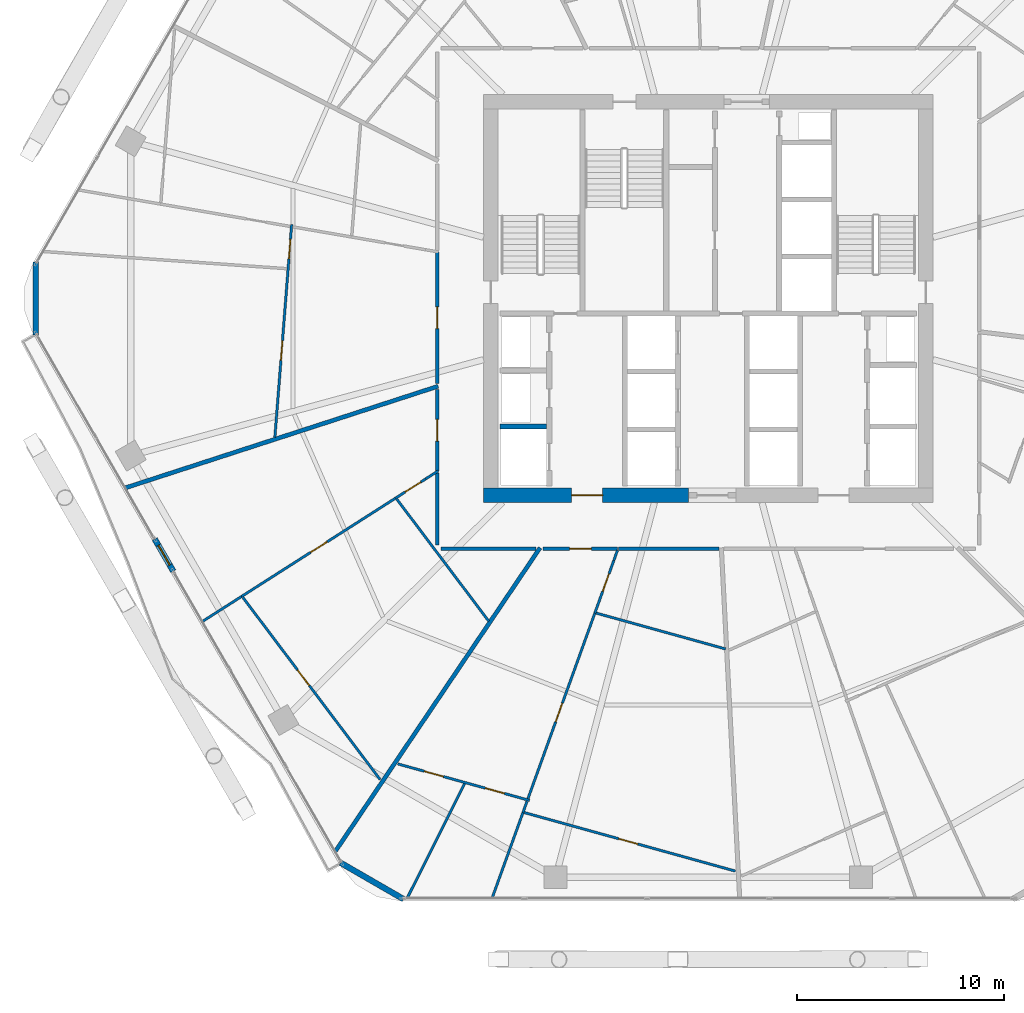
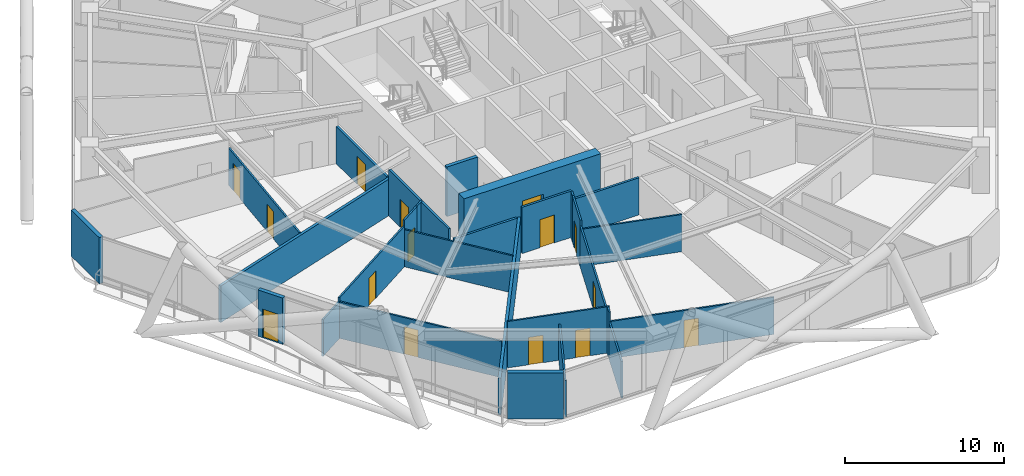
# One storey, part 27 of 35: 29 walls, 15 doors, 15 openings.
"""IFC4 building model written with IfcOpenShell, lengths in metres."""

from ifc_helpers import new_model, si_unit, direction, frame, frame_2d, origin, place, context, subcontext, project, spatial, rectangle, extrude, material, layer, layer_set, type_object, element, fill, save


model = new_model("IFC4")

# Units and contexts
model_context = context("Model", 3, precision=1e-05, world=origin(), true_north=direction((0.0, 1.0)))
body_context = subcontext(model_context, "Body", "Model", "MODEL_VIEW")
ifc_project = project(units=[si_unit("LENGTHUNIT", "METRE"), si_unit("AREAUNIT", "SQUARE_METRE"), si_unit("VOLUMEUNIT", "CUBIC_METRE"), si_unit("PLANEANGLEUNIT", "RADIAN"), si_unit("MASSUNIT", "GRAM", prefix="KILO")], contexts=[model_context])

# Site, building, storey
site_placement = place(None, origin())
site = spatial("IfcSite", under=ifc_project, at=site_placement, CompositionType="ELEMENT")
building_placement = place(site_placement, origin())
building = spatial("IfcBuilding", under=site, at=building_placement, Name="Zuhravey Tower", CompositionType="ELEMENT")
storey_placement = place(building_placement, frame((0.0, 0.0, 122.800048828125)))
storey = spatial("IfcBuildingStorey", under=building, at=storey_placement, Name="L30", CompositionType="ELEMENT", Elevation=122.800048828125)

# Wall, opening, door
ifc_material_1 = material(Name="Concrete C60/75", Category="concrete")
ifc_layer_1 = layer(ifc_material_1, 0.699951171875)
ifc_layer_set_1 = layer_set([ifc_layer_1], Name="Concrete C60/75")
wall_type_1 = type_object("IfcWallType", Name="Core Shear Wall 700", PredefinedType="SHEAR", material=ifc_layer_set_1)
wall_1_placement = place(storey_placement, frame((25.14990234375, 22.5, 0.0), z_axis=(0.0, 0.0, 1.0), x_axis=(1.0, 0.0, 0.0)))
wall_1 = element("IfcWall", 1, at=wall_1_placement, inside=storey, type_object=wall_type_1, Name="L30 South-West Core Shear Wall CW70", PredefinedType="SHEAR", context=body_context, shape_type="SweptSolid", body=[
    extrude(rectangle(XDim=9.900146484375, YDim=0.699951171875, at=frame_2d((4.9501953125, 0.0))), origin(), (0.0, 0.0, 1.0), 3.800048828125),
])
opening_1_placement = place(wall_1_placement, frame((4.25, 0.0, 0.0)))
opening_1 = element("IfcOpeningElement", 2, at=opening_1_placement, cuts=wall_1, Name="Opening FFD1", PredefinedType="OPENING", context=body_context, shape_type="SweptSolid", body=[
    extrude(rectangle(XDim=1.5, YDim=2.14990234375, at=frame_2d((0.75, 1.074951171875))), frame((0.0, 0.362060546875, 0.0), z_axis=(0.0, -1.0, 0.0), x_axis=(1.0, 0.0, 0.0)), (0.0, 0.0, 1.0), 0.723876953125),
])
ifc_material_2 = material(Name="Galvanised fire-rated steel leaf", Category="steel")
door_type_1 = type_object("IfcDoorType", Name="Firefighting Lobby Double Door 1500x2150", OperationType="DOUBLE_DOOR_SINGLE_SWING", PredefinedType="DOOR", material=ifc_material_2)
door_1_placement = place(opening_1_placement, origin())
door_1 = element("IfcDoor", 3, at=door_1_placement, inside=storey, type_object=door_type_1, Name="L30 Firefighting Lobby West Door", OperationType="DOUBLE_DOOR_SINGLE_SWING", OverallHeight=2.14990234375, OverallWidth=1.5, PredefinedType="DOOR", context=body_context, shape_type="SweptSolid", body=[
    extrude(rectangle(XDim=1.5, YDim=2.14990234375, at=frame_2d((0.75, 1.074951171875))), frame((0.0, 0.02490234375, 0.0), z_axis=(0.0, -1.0, 0.0), x_axis=(1.0, 0.0, 0.0)), (0.0, 0.0, 1.0), 0.050048828125),
])
fill(opening_1, door_1)

ifc_material_3 = material(Name="Gypsum fire-rated stud partition")
ifc_layer_2 = layer(ifc_material_3, 0.159912109375)
ifc_layer_set_2 = layer_set([ifc_layer_2], Name="Gypsum fire-rated stud partition")
wall_type_2 = type_object("IfcWallType", Name="Corridor Fire Partition 160", PredefinedType="PARTITIONING", material=ifc_layer_set_2)
wall_2_placement = place(storey_placement, frame((22.919921875, 34.234375, 0.0), z_axis=(0.0, 0.0, 1.0), x_axis=(0.0, -1.0, 0.0)))
wall_2 = element("IfcWall", 4, at=wall_2_placement, inside=storey, type_object=wall_type_2, Name="L30 IW16 Partition 038", PredefinedType="PARTITIONING", context=body_context, shape_type="SweptSolid", body=[
    extrude(rectangle(XDim=6.33740234375, YDim=0.159912109375, at=frame_2d((3.168701171875, 0.0))), origin(), (0.0, 0.0, 1.0), 2.849853515625),
])
opening_2_placement = place(wall_2_placement, frame((2.643798828125, 0.0, 0.0)))
opening_2 = element("IfcOpeningElement", 5, at=opening_2_placement, cuts=wall_2, Name="Opening APD1", PredefinedType="OPENING", context=body_context, shape_type="SweptSolid", body=[
    extrude(rectangle(XDim=1.050048828125, YDim=2.14990234375, at=frame_2d((0.52490234375, 1.074951171875))), frame((0.0, 0.092041015625, 0.0), z_axis=(0.0, -1.0, 0.0), x_axis=(1.0, 0.0, 0.0)), (0.0, 0.0, 1.0), 0.183837890625),
])
ifc_material_4 = material(Name="Solid-core oak fire-rated leaf")
door_type_2 = type_object("IfcDoorType", Name="Apartment Entrance Fire Door 1050x2150", OperationType="NOTDEFINED", PredefinedType="DOOR", material=ifc_material_4)
door_2_placement = place(opening_2_placement, frame((1.050048828125, 0.0, 0.0), z_axis=(0.0, 0.0, 1.0), x_axis=(-1.0, 0.0, 0.0)))
door_2 = element("IfcDoor", 6, at=door_2_placement, inside=storey, type_object=door_type_2, Name="L30 Door 038.1", OperationType="SINGLE_SWING_RIGHT", OverallHeight=2.14990234375, OverallWidth=1.050048828125, PredefinedType="DOOR", context=body_context, shape_type="SweptSolid", body=[
    extrude(rectangle(XDim=1.050048828125, YDim=2.14990234375, at=frame_2d((0.52490234375, 1.074951171875))), frame((0.0, 0.02490234375, 0.0), z_axis=(0.0, -1.0, 0.0), x_axis=(1.0, 0.0, 0.0)), (0.0, 0.0, 1.0), 0.050048828125),
])
fill(opening_2, door_2)

wall_3_placement = place(storey_placement, frame((22.919921875, 27.602294921875, 0.0), z_axis=(0.0, 0.0, 1.0), x_axis=(0.0, -1.0, 0.0)))
wall_3 = element("IfcWall", 7, at=wall_3_placement, inside=storey, type_object=wall_type_2, Name="L30 IW16 Partition 042", PredefinedType="PARTITIONING", context=body_context, shape_type="SweptSolid", body=[
    extrude(rectangle(XDim=3.9306640625, YDim=0.159912109375, at=frame_2d((1.96533203125, 0.0))), origin(), (0.0, 0.0, 1.0), 3.550048828125),
])
opening_3_placement = place(wall_3_placement, frame((1.4404296875, 0.0, 0.0)))
opening_3 = element("IfcOpeningElement", 8, at=opening_3_placement, cuts=wall_3, Name="Opening APD1", PredefinedType="OPENING", context=body_context, shape_type="SweptSolid", body=[
    extrude(rectangle(XDim=1.050048828125, YDim=2.14990234375, at=frame_2d((0.52490234375, 1.074951171875))), frame((0.0, 0.092041015625, 0.0), z_axis=(0.0, -1.0, 0.0), x_axis=(1.0, 0.0, 0.0)), (0.0, 0.0, 1.0), 0.183837890625),
])
door_3_placement = place(opening_3_placement, frame((1.050048828125, 0.0, 0.0), z_axis=(0.0, 0.0, 1.0), x_axis=(-1.0, 0.0, 0.0)))
door_3 = element("IfcDoor", 9, at=door_3_placement, inside=storey, type_object=door_type_2, Name="L30 Door 042.1", OperationType="SINGLE_SWING_RIGHT", OverallHeight=2.14990234375, OverallWidth=1.050048828125, PredefinedType="DOOR", context=body_context, shape_type="SweptSolid", body=[
    extrude(rectangle(XDim=1.050048828125, YDim=2.14990234375, at=frame_2d((0.52490234375, 1.074951171875))), frame((0.0, 0.02490234375, 0.0), z_axis=(0.0, -1.0, 0.0), x_axis=(1.0, 0.0, 0.0)), (0.0, 0.0, 1.0), 0.050048828125),
])
fill(opening_3, door_3)

wall_4_placement = place(storey_placement, frame((28.0283203125, 19.919921875, 0.0), z_axis=(0.0, 0.0, 1.0), x_axis=(1.0, 0.0, 0.0)))
wall_4 = element("IfcWall", 10, at=wall_4_placement, inside=storey, type_object=wall_type_2, Name="L30 IW16 Partition 048", PredefinedType="PARTITIONING", context=body_context, shape_type="SweptSolid", body=[
    extrude(rectangle(XDim=3.5966796875, YDim=0.159912109375, at=frame_2d((1.79833984375, 0.0))), origin(), (0.0, 0.0, 1.0), 3.550048828125),
])
opening_4_placement = place(wall_4_placement, frame((1.273193359375, 0.0, 0.0)))
opening_4 = element("IfcOpeningElement", 11, at=opening_4_placement, cuts=wall_4, Name="Opening APD1", PredefinedType="OPENING", context=body_context, shape_type="SweptSolid", body=[
    extrude(rectangle(XDim=1.050048828125, YDim=2.14990234375, at=frame_2d((0.52490234375, 1.074951171875))), frame((0.0, 0.092041015625, 0.0), z_axis=(0.0, -1.0, 0.0), x_axis=(1.0, 0.0, 0.0)), (0.0, 0.0, 1.0), 0.183837890625),
])
door_4_placement = place(opening_4_placement, frame((1.050048828125, 0.0, 0.0), z_axis=(0.0, 0.0, 1.0), x_axis=(-1.0, 0.0, 0.0)))
door_4 = element("IfcDoor", 12, at=door_4_placement, inside=storey, type_object=door_type_2, Name="L30 Door 048.1", OperationType="SINGLE_SWING_RIGHT", OverallHeight=2.14990234375, OverallWidth=1.050048828125, PredefinedType="DOOR", context=body_context, shape_type="SweptSolid", body=[
    extrude(rectangle(XDim=1.050048828125, YDim=2.14990234375, at=frame_2d((0.52490234375, 1.074951171875))), frame((0.0, 0.02490234375, 0.0), z_axis=(0.0, -1.0, 0.0), x_axis=(1.0, 0.0, 0.0)), (0.0, 0.0, 1.0), 0.050048828125),
])
fill(opening_4, door_4)

# Walls
wall_5_placement = place(storey_placement, frame((23.10009765625, 19.919921875, 0.0), z_axis=(0.0, 0.0, 1.0), x_axis=(1.0, 0.0, 0.0)))
element("IfcWall", 13, at=wall_5_placement, inside=storey, type_object=wall_type_2, Name="L30 IW16 Partition 122", PredefinedType="PARTITIONING", context=body_context, shape_type="SweptSolid", body=[
    extrude(rectangle(XDim=4.5732421875, YDim=0.159912109375, at=frame_2d((2.28662109375, 0.0))), origin(), (0.0, 0.0, 1.0), 2.849853515625),
])
wall_6_placement = place(storey_placement, frame((22.919921875, 23.567138671875, 0.0), z_axis=(0.0, 0.0, 1.0), x_axis=(0.0, -1.0, 0.0)))
element("IfcWall", 14, at=wall_6_placement, inside=storey, type_object=wall_type_2, Name="L30 IW16 Partition 123", PredefinedType="PARTITIONING", context=body_context, shape_type="SweptSolid", body=[
    extrude(rectangle(XDim=3.467041015625, YDim=0.159912109375, at=frame_2d((1.7333984375, 0.0))), origin(), (0.0, 0.0, 1.0), 3.550048828125),
])
wall_7_placement = place(storey_placement, frame((31.66748046875, 19.919921875, 0.0), z_axis=(0.0, 0.0, 1.0), x_axis=(1.0, 0.0, 0.0)))
element("IfcWall", 15, at=wall_7_placement, inside=storey, type_object=wall_type_2, Name="L30 IW16 Partition 124", PredefinedType="PARTITIONING", context=body_context, shape_type="SweptSolid", body=[
    extrude(rectangle(XDim=4.83984375, YDim=0.159912109375, at=frame_2d((2.419921875, 0.0))), origin(), (0.0, 0.0, 1.0), 2.849853515625),
])
ifc_material_5 = material(Name="Precast concrete C40/50", Category="concrete")
ifc_layer_3 = layer(ifc_material_5, 0.280029296875)
ifc_layer_set_3 = layer_set([ifc_layer_3], Name="Precast concrete C40/50")
wall_type_3 = type_object("IfcWallType", Name="Crown Architectural Wall 280", PredefinedType="SOLIDWALL", material=ifc_layer_set_3)
wall_8_placement = place(storey_placement, frame((21.28271484375, 2.993896484375, 0.0), z_axis=(0.0, 0.0, 1.0), x_axis=(-0.866007452331, 0.500031091541, 0.0)))
element("IfcWall", 16, at=wall_8_placement, inside=storey, type_object=wall_type_3, Name="L30 Rounded Corner Closure Wall EW28-04", PredefinedType="SOLIDWALL", context=body_context, shape_type="SweptSolid", body=[
    extrude(rectangle(XDim=3.514892578125, YDim=0.280029296875, at=frame_2d((1.75732421875, 0.0))), origin(), (0.0, 0.0, 1.0), 3.550048828125),
])

# Wall, opening, door
wall_9_placement = place(storey_placement, frame((10.16552734375, 18.82958984375, 0.0), z_axis=(0.0, 0.0, 1.0), x_axis=(-0.499982180423, 0.866035691677, 0.0)))
wall_9 = element("IfcWall", 17, at=wall_9_placement, inside=storey, type_object=wall_type_3, Name="L30 Face 4 Facade Pier EW28-1", PredefinedType="SOLIDWALL", context=body_context, shape_type="SweptSolid", body=[
    extrude(rectangle(XDim=1.7900390625, YDim=0.280029296875, at=frame_2d((0.89501953125, 0.0))), origin(), (0.0, 0.0, 1.0), 3.550048828125),
])
opening_5_placement = place(wall_9_placement, frame((0.344970703125, 0.0, 0.0)))
opening_5 = element("IfcOpeningElement", 18, at=opening_5_placement, cuts=wall_9, Name="Opening BLD1", PredefinedType="OPENING", context=body_context, shape_type="SweptSolid", body=[
    extrude(rectangle(XDim=1.10009765625, YDim=2.199951171875, at=frame_2d((0.550048828125, 1.10009765625))), frame((0.0, 0.152099609375, 0.0), z_axis=(0.0, -1.0, 0.0), x_axis=(1.0, 0.0, 0.0)), (0.0, 0.0, 1.0), 0.303955078125),
])
ifc_material_6 = material(Name="Thermally broken aluminium and low-E glass", Category="aluminium")
door_type_3 = type_object("IfcDoorType", Name="Balcony & Sky-Tray Glazed Door 1100x2200", OperationType="NOTDEFINED", PredefinedType="DOOR", material=ifc_material_6)
door_5_placement = place(opening_5_placement, frame((1.10009765625, 0.0, 0.0), z_axis=(0.0, 0.0, 1.0), x_axis=(-1.0, 0.0, 0.0)))
door_5 = element("IfcDoor", 19, at=door_5_placement, inside=storey, type_object=door_type_3, Name="L30 Face 4 Wave Balcony Door", OperationType="SINGLE_SWING_LEFT", OverallHeight=2.199951171875, OverallWidth=1.10009765625, PredefinedType="DOOR", context=body_context, shape_type="SweptSolid", body=[
    extrude(rectangle(XDim=1.10009765625, YDim=2.199951171875, at=frame_2d((0.550048828125, 1.10009765625))), frame((0.0, 0.02490234375, 0.0), z_axis=(0.0, -1.0, 0.0), x_axis=(1.0, 0.0, 0.0)), (0.0, 0.0, 1.0), 0.050048828125),
])
fill(opening_5, door_5)

# Walls
wall_10_placement = place(storey_placement, frame((3.521484375, 30.242431640625, 0.0), z_axis=(0.0, 0.0, 1.0), x_axis=(0.0, 1.0, 0.0)))
element("IfcWall", 20, at=wall_10_placement, inside=storey, type_object=wall_type_3, Name="L30 Rounded Corner Closure Wall EW28-06", PredefinedType="SOLIDWALL", context=body_context, shape_type="SweptSolid", body=[
    extrude(rectangle(XDim=3.51513671875, YDim=0.280029296875, at=frame_2d((1.757568359375, 0.0))), origin(), (0.0, 0.0, 1.0), 3.550048828125),
])
ifc_material_7 = material(Name="Concrete C50/60", Category="concrete")
ifc_layer_4 = layer(ifc_material_7, 0.25)
ifc_layer_set_4 = layer_set([ifc_layer_4], Name="Concrete C50/60")
wall_type_4 = type_object("IfcWallType", Name="Firefighting Shaft & Stair Wall 250", PredefinedType="SOLIDWALL", material=ifc_layer_set_4)
wall_11_placement = place(storey_placement, frame((25.949951171875, 25.824951171875, 0.0), z_axis=(0.0, 0.0, 1.0), x_axis=(1.0, 0.0, 0.0)))
element("IfcWall", 21, at=wall_11_placement, inside=storey, type_object=wall_type_4, Name="L30 FW25 Shaft Wall 009", PredefinedType="SOLIDWALL", context=body_context, shape_type="SweptSolid", body=[
    extrude(rectangle(XDim=2.25, YDim=0.25, at=frame_2d((1.125, 0.0))), origin(), (0.0, 0.0, 1.0), 3.800048828125),
])
ifc_material_8 = material(Name="Gypsum double-stud party assembly")
ifc_layer_5 = layer(ifc_material_8, 0.199951171875)
ifc_layer_set_5 = layer_set([ifc_layer_5], Name="Gypsum double-stud party assembly")
wall_type_5 = type_object("IfcWallType", Name="Inter-Tenancy Party Wall 200", PredefinedType="PARTITIONING", material=ifc_layer_set_5)
wall_12_placement = place(storey_placement, frame((22.9599609375, 27.762939453125, 0.0), z_axis=(0.0, 0.0, 1.0), x_axis=(-0.95105675479, -0.309016260362, 0.0)))
element("IfcWall", 22, at=wall_12_placement, inside=storey, type_object=wall_type_5, Name="L30 IW20 Partition 092", PredefinedType="PARTITIONING", context=body_context, shape_type="SweptSolid", body=[
    extrude(rectangle(XDim=15.894287109375, YDim=0.199951171875, at=frame_2d((7.947265625, 0.0))), origin(), (0.0, 0.0, 1.0), 2.800048828125),
])
wall_13_placement = place(storey_placement, frame((27.87890625, 19.9599609375, 0.0), z_axis=(0.0, 0.0, 1.0), x_axis=(-0.559197020648, -0.829034795469, 0.0)))
element("IfcWall", 23, at=wall_13_placement, inside=storey, type_object=wall_type_5, Name="L30 IW20 Partition 096", PredefinedType="PARTITIONING", context=body_context, shape_type="SweptSolid", body=[
    extrude(rectangle(XDim=17.6962890625, YDim=0.199951171875, at=frame_2d((8.84814453125, 0.0))), origin(), (0.0, 0.0, 1.0), 2.800048828125),
])

# Wall, openings, doors
ifc_material_9 = material(Name="Gypsum metal-stud partition")
ifc_layer_6 = layer(ifc_material_9, 0.1201171875)
ifc_layer_set_6 = layer_set([ifc_layer_6], Name="Gypsum metal-stud partition")
wall_type_6 = type_object("IfcWallType", Name="Unit Internal Partition 120", PredefinedType="PARTITIONING", material=ifc_layer_set_6)
wall_14_placement = place(storey_placement, frame((15.880126953125, 35.569580078125, 0.0), z_axis=(0.0, 0.0, 1.0), x_axis=(-0.078466415581, -0.996916757621, 0.0)))
wall_14 = element("IfcWall", 24, at=wall_14_placement, inside=storey, type_object=wall_type_6, Name="L30 IW12 Partition 033", PredefinedType="PARTITIONING", context=body_context, shape_type="SweptSolid", body=[
    extrude(rectangle(XDim=10.304931640625, YDim=0.1201171875, at=frame_2d((5.15234375, 0.0))), origin(), (0.0, 0.0, 1.0), 2.849853515625),
])
opening_6_placement = place(wall_14_placement, frame((0.716552734375, 0.0, 0.0)))
opening_6 = element("IfcOpeningElement", 25, at=opening_6_placement, cuts=wall_14, Name="Opening IND1", PredefinedType="OPENING", context=body_context, shape_type="SweptSolid", body=[
    extrude(rectangle(XDim=0.949951171875, YDim=2.10009765625, at=frame_2d((0.47509765625, 1.050048828125))), frame((0.0, 0.072021484375, 0.0), z_axis=(0.0, -1.0, 0.0), x_axis=(1.0, 0.0, 0.0)), (0.0, 0.0, 1.0), 0.14404296875),
])
opening_7_placement = place(wall_14_placement, frame((5.62890625, 0.0, 0.0)))
opening_7 = element("IfcOpeningElement", 26, at=opening_7_placement, cuts=wall_14, Name="Opening IND1", PredefinedType="OPENING", context=body_context, shape_type="SweptSolid", body=[
    extrude(rectangle(XDim=0.949951171875, YDim=2.10009765625, at=frame_2d((0.47509765625, 1.050048828125))), frame((0.0, 0.072021484375, 0.0), z_axis=(0.0, -1.0, 0.0), x_axis=(1.0, 0.0, 0.0)), (0.0, 0.0, 1.0), 0.14404296875),
])
ifc_material_10 = material(Name="Painted engineered timber leaf", Category="wood")
door_type_4 = type_object("IfcDoorType", Name="Internal Room & Bedroom Door 950x2100", OperationType="NOTDEFINED", PredefinedType="DOOR", material=ifc_material_10)
door_6_placement = place(opening_6_placement, frame((0.949951171875, 0.0, 0.0), z_axis=(0.0, 0.0, 1.0), x_axis=(-1.0, 0.0, 0.0)))
door_6 = element("IfcDoor", 27, at=door_6_placement, inside=storey, type_object=door_type_4, Name="Apartment L30-04 Family Study Door", OperationType="SINGLE_SWING_LEFT", OverallHeight=2.10009765625, OverallWidth=0.949951171875, PredefinedType="DOOR", context=body_context, shape_type="SweptSolid", body=[
    extrude(rectangle(XDim=0.949951171875, YDim=2.10009765625, at=frame_2d((0.47509765625, 1.050048828125))), frame((0.0, 0.02490234375, 0.0), z_axis=(0.0, -1.0, 0.0), x_axis=(1.0, 0.0, 0.0)), (0.0, 0.0, 1.0), 0.050048828125),
])
fill(opening_6, door_6)
door_7_placement = place(opening_7_placement, frame((0.949951171875, 0.0, 0.0), z_axis=(0.0, 0.0, 1.0), x_axis=(-1.0, 0.0, 0.0)))
door_7 = element("IfcDoor", 28, at=door_7_placement, inside=storey, type_object=door_type_4, Name="Apartment L30-04 Dining Room Door", OperationType="SINGLE_SWING_RIGHT", OverallHeight=2.10009765625, OverallWidth=0.949951171875, PredefinedType="DOOR", context=body_context, shape_type="SweptSolid", body=[
    extrude(rectangle(XDim=0.949951171875, YDim=2.10009765625, at=frame_2d((0.47509765625, 1.050048828125))), frame((0.0, 0.02490234375, 0.0), z_axis=(0.0, -1.0, 0.0), x_axis=(1.0, 0.0, 0.0)), (0.0, 0.0, 1.0), 0.050048828125),
])
fill(opening_7, door_7)

# Wall, opening, door
wall_15_placement = place(storey_placement, frame((22.35009765625, 23.283935546875, 0.0), z_axis=(0.0, 0.0, 1.0), x_axis=(-0.842804899484, -0.538219194572, 0.0)))
wall_15 = element("IfcWall", 29, at=wall_15_placement, inside=storey, type_object=wall_type_6, Name="L30 IW12 Partition 039", PredefinedType="PARTITIONING", context=body_context, shape_type="SweptSolid", body=[
    extrude(rectangle(XDim=1.727294921875, YDim=0.1201171875, at=frame_2d((0.86376953125, 0.0))), origin(), (0.0, 0.0, 1.0), 3.550048828125),
])
opening_8_placement = place(wall_15_placement, frame((0.275390625, 0.0, 0.0)))
opening_8 = element("IfcOpeningElement", 30, at=opening_8_placement, cuts=wall_15, Name="Opening WCD1", PredefinedType="OPENING", context=body_context, shape_type="SweptSolid", body=[
    extrude(rectangle(XDim=0.89990234375, YDim=2.10009765625, at=frame_2d((0.449951171875, 1.050048828125))), frame((0.0, 0.072021484375, 0.0), z_axis=(0.0, -1.0, 0.0), x_axis=(1.0, 0.0, 0.0)), (0.0, 0.0, 1.0), 0.14404296875),
])
ifc_material_11 = material(Name="Moisture-resistant timber leaf", Category="wood")
door_type_5 = type_object("IfcDoorType", Name="Bathroom & WC Internal Door 900x2100", OperationType="NOTDEFINED", PredefinedType="DOOR", material=ifc_material_11)
door_8_placement = place(opening_8_placement, origin())
door_8 = element("IfcDoor", 31, at=door_8_placement, inside=storey, type_object=door_type_5, Name="Apartment L30-05 Bathroom Door", OperationType="SINGLE_SWING_LEFT", OverallHeight=2.10009765625, OverallWidth=0.89990234375, PredefinedType="DOOR", context=body_context, shape_type="SweptSolid", body=[
    extrude(rectangle(XDim=0.89990234375, YDim=2.10009765625, at=frame_2d((0.449951171875, 1.050048828125))), frame((0.0, 0.02490234375, 0.0), z_axis=(0.0, -1.0, 0.0), x_axis=(1.0, 0.0, 0.0)), (0.0, 0.0, 1.0), 0.050048828125),
])
fill(opening_8, door_8)

wall_16_placement = place(storey_placement, frame((20.894287109375, 22.354248046875, 0.0), z_axis=(0.0, 0.0, 1.0), x_axis=(-0.842829505657, -0.538180661482, 0.0)))
wall_16 = element("IfcWall", 32, at=wall_16_placement, inside=storey, type_object=wall_type_6, Name="L30 IW12 Partition 040", PredefinedType="PARTITIONING", context=body_context, shape_type="SweptSolid", body=[
    extrude(rectangle(XDim=8.8193359375, YDim=0.1201171875, at=frame_2d((4.40966796875, 0.0))), origin(), (0.0, 0.0, 1.0), 3.099853515625),
])
opening_9_placement = place(wall_16_placement, frame((3.90966796875, 0.0, 0.0)))
opening_9 = element("IfcOpeningElement", 33, at=opening_9_placement, cuts=wall_16, Name="Opening IND1", PredefinedType="OPENING", context=body_context, shape_type="SweptSolid", body=[
    extrude(rectangle(XDim=0.949951171875, YDim=2.10009765625, at=frame_2d((0.47509765625, 1.050048828125))), frame((0.0, 0.072021484375, 0.0), z_axis=(0.0, -1.0, 0.0), x_axis=(1.0, 0.0, 0.0)), (0.0, 0.0, 1.0), 0.14404296875),
])
door_9_placement = place(opening_9_placement, origin())
door_9 = element("IfcDoor", 34, at=door_9_placement, inside=storey, type_object=door_type_4, Name="Apartment L30-05 Home Office Door", OperationType="SINGLE_SWING_RIGHT", OverallHeight=2.10009765625, OverallWidth=0.949951171875, PredefinedType="DOOR", context=body_context, shape_type="SweptSolid", body=[
    extrude(rectangle(XDim=0.949951171875, YDim=2.10009765625, at=frame_2d((0.47509765625, 1.050048828125))), frame((0.0, 0.02490234375, 0.0), z_axis=(0.0, -1.0, 0.0), x_axis=(1.0, 0.0, 0.0)), (0.0, 0.0, 1.0), 0.050048828125),
])
fill(opening_9, door_9)

wall_17_placement = place(storey_placement, frame((13.523193359375, 17.56689453125, 0.0), z_axis=(0.0, 0.0, 1.0), x_axis=(0.601820745962, -0.798631197569, 0.0)))
wall_17 = element("IfcWall", 35, at=wall_17_placement, inside=storey, type_object=wall_type_6, Name="L30 IW12 Partition 041", PredefinedType="PARTITIONING", context=body_context, shape_type="SweptSolid", body=[
    extrude(rectangle(XDim=11.01806640625, YDim=0.1201171875, at=frame_2d((5.509033203125, 0.0))), origin(), (0.0, 0.0, 1.0), 2.800048828125),
])
opening_10_placement = place(wall_17_placement, frame((4.390380859375, 0.0, 0.0)))
opening_10 = element("IfcOpeningElement", 36, at=opening_10_placement, cuts=wall_17, Name="Opening IND1", PredefinedType="OPENING", context=body_context, shape_type="SweptSolid", body=[
    extrude(rectangle(XDim=0.949951171875, YDim=2.10009765625, at=frame_2d((0.47509765625, 1.050048828125))), frame((0.0, 0.072021484375, 0.0), z_axis=(0.0, -1.0, 0.0), x_axis=(1.0, 0.0, 0.0)), (0.0, 0.0, 1.0), 0.14404296875),
])
door_10_placement = place(opening_10_placement, frame((0.949951171875, 0.0, 0.0), z_axis=(0.0, 0.0, 1.0), x_axis=(-1.0, 0.0, 0.0)))
door_10 = element("IfcDoor", 37, at=door_10_placement, inside=storey, type_object=door_type_4, Name="Apartment L30-05 Bedroom 1 Door", OperationType="SINGLE_SWING_LEFT", OverallHeight=2.10009765625, OverallWidth=0.949951171875, PredefinedType="DOOR", context=body_context, shape_type="SweptSolid", body=[
    extrude(rectangle(XDim=0.949951171875, YDim=2.10009765625, at=frame_2d((0.47509765625, 1.050048828125))), frame((0.0, 0.02490234375, 0.0), z_axis=(0.0, -1.0, 0.0), x_axis=(1.0, 0.0, 0.0)), (0.0, 0.0, 1.0), 0.050048828125),
])
fill(opening_10, door_10)

# Wall, openings, doors
wall_18_placement = place(storey_placement, frame((21.004150390625, 9.52490234375, 0.0), z_axis=(0.0, 0.0, 1.0), x_axis=(0.963627434519, -0.267249260883, 0.0)))
wall_18 = element("IfcWall", 38, at=wall_18_placement, inside=storey, type_object=wall_type_6, Name="L30 IW12 Partition 043", PredefinedType="PARTITIONING", context=body_context, shape_type="SweptSolid", body=[
    extrude(rectangle(XDim=6.605712890625, YDim=0.1201171875, at=frame_2d((3.302734375, 0.0))), origin(), (0.0, 0.0, 1.0), 3.550048828125),
])
opening_11_placement = place(wall_18_placement, frame((1.33544921875, 0.0, 0.0)))
opening_11 = element("IfcOpeningElement", 39, at=opening_11_placement, cuts=wall_18, Name="Opening IND1", PredefinedType="OPENING", context=body_context, shape_type="SweptSolid", body=[
    extrude(rectangle(XDim=0.949951171875, YDim=2.10009765625, at=frame_2d((0.47509765625, 1.050048828125))), frame((0.0, 0.072021484375, 0.0), z_axis=(0.0, -1.0, 0.0), x_axis=(1.0, 0.0, 0.0)), (0.0, 0.0, 1.0), 0.14404296875),
])
opening_12_placement = place(wall_18_placement, frame((4.39599609375, 0.0, 0.0)))
opening_12 = element("IfcOpeningElement", 40, at=opening_12_placement, cuts=wall_18, Name="Opening IND1", PredefinedType="OPENING", context=body_context, shape_type="SweptSolid", body=[
    extrude(rectangle(XDim=0.949951171875, YDim=2.10009765625, at=frame_2d((0.47509765625, 1.050048828125))), frame((0.0, 0.072021484375, 0.0), z_axis=(0.0, -1.0, 0.0), x_axis=(1.0, 0.0, 0.0)), (0.0, 0.0, 1.0), 0.14404296875),
])
door_11_placement = place(opening_11_placement, frame((0.949951171875, 0.0, 0.0), z_axis=(0.0, 0.0, 1.0), x_axis=(-1.0, 0.0, 0.0)))
door_11 = element("IfcDoor", 41, at=door_11_placement, inside=storey, type_object=door_type_4, Name="Apartment L30-06 Family Study Door", OperationType="SINGLE_SWING_LEFT", OverallHeight=2.10009765625, OverallWidth=0.949951171875, PredefinedType="DOOR", context=body_context, shape_type="SweptSolid", body=[
    extrude(rectangle(XDim=0.949951171875, YDim=2.10009765625, at=frame_2d((0.47509765625, 1.050048828125))), frame((0.0, 0.02490234375, 0.0), z_axis=(0.0, -1.0, 0.0), x_axis=(1.0, 0.0, 0.0)), (0.0, 0.0, 1.0), 0.050048828125),
])
fill(opening_11, door_11)
door_12_placement = place(opening_12_placement, frame((0.949951171875, 0.0, 0.0), z_axis=(0.0, 0.0, 1.0), x_axis=(-1.0, 0.0, 0.0)))
door_12 = element("IfcDoor", 42, at=door_12_placement, inside=storey, type_object=door_type_4, Name="Apartment L30-06 Dining Room Door", OperationType="SINGLE_SWING_RIGHT", OverallHeight=2.10009765625, OverallWidth=0.949951171875, PredefinedType="DOOR", context=body_context, shape_type="SweptSolid", body=[
    extrude(rectangle(XDim=0.949951171875, YDim=2.10009765625, at=frame_2d((0.47509765625, 1.050048828125))), frame((0.0, 0.02490234375, 0.0), z_axis=(0.0, -1.0, 0.0), x_axis=(1.0, 0.0, 0.0)), (0.0, 0.0, 1.0), 0.050048828125),
])
fill(opening_12, door_12)

# Wall, opening, door
wall_19_placement = place(storey_placement, frame((31.44091796875, 19.35009765625, 0.0), z_axis=(0.0, 0.0, 1.0), x_axis=(-0.339095676242, -0.940751892028, 0.0)))
wall_19 = element("IfcWall", 43, at=wall_19_placement, inside=storey, type_object=wall_type_6, Name="L30 IW12 Partition 044", PredefinedType="PARTITIONING", context=body_context, shape_type="SweptSolid", body=[
    extrude(rectangle(XDim=2.71142578125, YDim=0.1201171875, at=frame_2d((1.355712890625, 0.0))), origin(), (0.0, 0.0, 1.0), 3.550048828125),
])
opening_13_placement = place(wall_19_placement, frame((0.688720703125, 0.0, 0.0)))
opening_13 = element("IfcOpeningElement", 44, at=opening_13_placement, cuts=wall_19, Name="Opening WCD1", PredefinedType="OPENING", context=body_context, shape_type="SweptSolid", body=[
    extrude(rectangle(XDim=0.89990234375, YDim=2.10009765625, at=frame_2d((0.449951171875, 1.050048828125))), frame((0.0, 0.072021484375, 0.0), z_axis=(0.0, -1.0, 0.0), x_axis=(1.0, 0.0, 0.0)), (0.0, 0.0, 1.0), 0.14404296875),
])
door_13_placement = place(opening_13_placement, origin())
door_13 = element("IfcDoor", 45, at=door_13_placement, inside=storey, type_object=door_type_5, Name="Apartment L30-06 Bathroom Door", OperationType="SINGLE_SWING_LEFT", OverallHeight=2.10009765625, OverallWidth=0.89990234375, PredefinedType="DOOR", context=body_context, shape_type="SweptSolid", body=[
    extrude(rectangle(XDim=0.89990234375, YDim=2.10009765625, at=frame_2d((0.449951171875, 1.050048828125))), frame((0.0, 0.02490234375, 0.0), z_axis=(0.0, -1.0, 0.0), x_axis=(1.0, 0.0, 0.0)), (0.0, 0.0, 1.0), 0.050048828125),
])
fill(opening_13, door_13)

wall_20_placement = place(storey_placement, frame((30.521484375, 16.79931640625, 0.0), z_axis=(0.0, 0.0, 1.0), x_axis=(-0.339072987496, -0.940760069917, 0.0)))
wall_20 = element("IfcWall", 46, at=wall_20_placement, inside=storey, type_object=wall_type_6, Name="L30 IW12 Partition 045", PredefinedType="PARTITIONING", context=body_context, shape_type="SweptSolid", body=[
    extrude(rectangle(XDim=9.51220703125, YDim=0.1201171875, at=frame_2d((4.756103515625, 0.0))), origin(), (0.0, 0.0, 1.0), 3.099853515625),
])
opening_14_placement = place(wall_20_placement, frame((4.619873046875, 0.0, 0.0)))
opening_14 = element("IfcOpeningElement", 47, at=opening_14_placement, cuts=wall_20, Name="Opening IND1", PredefinedType="OPENING", context=body_context, shape_type="SweptSolid", body=[
    extrude(rectangle(XDim=0.949951171875, YDim=2.10009765625, at=frame_2d((0.47509765625, 1.050048828125))), frame((0.0, 0.072021484375, 0.0), z_axis=(0.0, -1.0, 0.0), x_axis=(1.0, 0.0, 0.0)), (0.0, 0.0, 1.0), 0.14404296875),
])
door_14_placement = place(opening_14_placement, origin())
door_14 = element("IfcDoor", 48, at=door_14_placement, inside=storey, type_object=door_type_4, Name="Apartment L30-06 Home Office Door", OperationType="SINGLE_SWING_RIGHT", OverallHeight=2.10009765625, OverallWidth=0.949951171875, PredefinedType="DOOR", context=body_context, shape_type="SweptSolid", body=[
    extrude(rectangle(XDim=0.949951171875, YDim=2.10009765625, at=frame_2d((0.47509765625, 1.050048828125))), frame((0.0, 0.02490234375, 0.0), z_axis=(0.0, -1.0, 0.0), x_axis=(1.0, 0.0, 0.0)), (0.0, 0.0, 1.0), 0.050048828125),
])
fill(opening_14, door_14)

# Wall
wall_21_placement = place(storey_placement, frame((27.25, 7.72216796875, 0.0), z_axis=(0.0, 0.0, 1.0), x_axis=(-0.339319445683, -0.940671203865, 0.0)))
element("IfcWall", 49, at=wall_21_placement, inside=storey, type_object=wall_type_6, Name="L30 IW12 Partition 046", PredefinedType="PARTITIONING", context=body_context, shape_type="SweptSolid", body=[
    extrude(rectangle(XDim=0.5908203125, YDim=0.1201171875, at=frame_2d((0.29541015625, 0.0))), origin(), (0.0, 0.0, 1.0), 3.550048828125),
])

# Wall, opening, door
wall_22_placement = place(storey_placement, frame((27.123779296875, 7.171630859375, 0.0), z_axis=(0.0, 0.0, 1.0), x_axis=(0.963629033609, -0.267243494936, 0.0)))
wall_22 = element("IfcWall", 50, at=wall_22_placement, inside=storey, type_object=wall_type_6, Name="L30 IW12 Partition 047", PredefinedType="PARTITIONING", context=body_context, shape_type="SweptSolid", body=[
    extrude(rectangle(XDim=10.56787109375, YDim=0.1201171875, at=frame_2d((5.283935546875, 0.0))), origin(), (0.0, 0.0, 1.0), 2.849853515625),
])
opening_15_placement = place(wall_22_placement, frame((4.724609375, 0.0, 0.0)))
opening_15 = element("IfcOpeningElement", 51, at=opening_15_placement, cuts=wall_22, Name="Opening IND1", PredefinedType="OPENING", context=body_context, shape_type="SweptSolid", body=[
    extrude(rectangle(XDim=0.949951171875, YDim=2.10009765625, at=frame_2d((0.47509765625, 1.050048828125))), frame((0.0, 0.072021484375, 0.0), z_axis=(0.0, -1.0, 0.0), x_axis=(1.0, 0.0, 0.0)), (0.0, 0.0, 1.0), 0.14404296875),
])
door_15_placement = place(opening_15_placement, frame((0.949951171875, 0.0, 0.0), z_axis=(0.0, 0.0, 1.0), x_axis=(-1.0, 0.0, 0.0)))
door_15 = element("IfcDoor", 52, at=door_15_placement, inside=storey, type_object=door_type_4, Name="Apartment L30-06 Bedroom 1 Door", OperationType="SINGLE_SWING_LEFT", OverallHeight=2.10009765625, OverallWidth=0.949951171875, PredefinedType="DOOR", context=body_context, shape_type="SweptSolid", body=[
    extrude(rectangle(XDim=0.949951171875, YDim=2.10009765625, at=frame_2d((0.47509765625, 1.050048828125))), frame((0.0, 0.02490234375, 0.0), z_axis=(0.0, -1.0, 0.0), x_axis=(1.0, 0.0, 0.0)), (0.0, 0.0, 1.0), 0.050048828125),
])
fill(opening_15, door_15)

# Walls
wall_23_placement = place(storey_placement, frame((22.957275390625, 23.671630859375, 0.0), z_axis=(0.0, 0.0, 1.0), x_axis=(-0.842837175005, -0.538168650546, 0.0)))
element("IfcWall", 53, at=wall_23_placement, inside=storey, type_object=wall_type_6, Name="L30 IW12 Partition 093", PredefinedType="PARTITIONING", context=body_context, shape_type="SweptSolid", body=[
    extrude(rectangle(XDim=0.720458984375, YDim=0.1201171875, at=frame_2d((0.3603515625, 0.0))), origin(), (0.0, 0.0, 1.0), 3.550048828125),
])
wall_24_placement = place(storey_placement, frame((13.461181640625, 17.60791015625, 0.0), z_axis=(0.0, 0.0, 1.0), x_axis=(-0.842820653361, -0.538194524562, 0.0)))
element("IfcWall", 54, at=wall_24_placement, inside=storey, type_object=wall_type_6, Name="L30 IW12 Partition 094", PredefinedType="PARTITIONING", context=body_context, shape_type="SweptSolid", body=[
    extrude(rectangle(XDim=2.25048828125, YDim=0.1201171875, at=frame_2d((1.125244140625, 0.0))), origin(), (0.0, 0.0, 1.0), 2.800048828125),
])
wall_25_placement = place(storey_placement, frame((20.956298828125, 22.313232421875, 0.0), z_axis=(0.0, 0.0, 1.0), x_axis=(0.601821242671, -0.798630823265, 0.0)))
element("IfcWall", 55, at=wall_25_placement, inside=storey, type_object=wall_type_6, Name="L30 IW12 Partition 095", PredefinedType="PARTITIONING", context=body_context, shape_type="SweptSolid", body=[
    extrude(rectangle(XDim=7.393310546875, YDim=0.1201171875, at=frame_2d((3.69677734375, 0.0))), origin(), (0.0, 0.0, 1.0), 2.849853515625),
])
wall_26_placement = place(storey_placement, frame((24.231201171875, 8.559326171875, 0.0), z_axis=(0.0, 0.0, 1.0), x_axis=(-0.448691712372, -0.893686604604, 0.0)))
element("IfcWall", 56, at=wall_26_placement, inside=storey, type_object=wall_type_6, Name="L30 IW12 Partition 097", PredefinedType="PARTITIONING", context=body_context, shape_type="SweptSolid", body=[
    extrude(rectangle(XDim=6.207763671875, YDim=0.1201171875, at=frame_2d((3.10400390625, 0.0))), origin(), (0.0, 0.0, 1.0), 2.800048828125),
])
wall_27_placement = place(storey_placement, frame((31.614501953125, 19.83203125, 0.0), z_axis=(0.0, 0.0, 1.0), x_axis=(-0.33887135872, -0.940832717458, 0.0)))
element("IfcWall", 57, at=wall_27_placement, inside=storey, type_object=wall_type_6, Name="L30 IW12 Partition 098", PredefinedType="PARTITIONING", context=body_context, shape_type="SweptSolid", body=[
    extrude(rectangle(XDim=0.51220703125, YDim=0.1201171875, at=frame_2d((0.256103515625, 0.0))), origin(), (0.0, 0.0, 1.0), 3.550048828125),
])
wall_28_placement = place(storey_placement, frame((27.049560546875, 7.16650390625, 0.0), z_axis=(0.0, 0.0, 1.0), x_axis=(-0.339083894989, -0.940756138518, 0.0)))
element("IfcWall", 58, at=wall_28_placement, inside=storey, type_object=wall_type_6, Name="L30 IW12 Partition 099", PredefinedType="PARTITIONING", context=body_context, shape_type="SweptSolid", body=[
    extrude(rectangle(XDim=4.388427734375, YDim=0.1201171875, at=frame_2d((2.1943359375, 0.0))), origin(), (0.0, 0.0, 1.0), 2.800048828125),
])
wall_29_placement = place(storey_placement, frame((30.595703125, 16.8046875, 0.0), z_axis=(0.0, 0.0, 1.0), x_axis=(0.963630652768, -0.26723765649, 0.0)))
element("IfcWall", 59, at=wall_29_placement, inside=storey, type_object=wall_type_6, Name="L30 IW12 Partition 100", PredefinedType="PARTITIONING", context=body_context, shape_type="SweptSolid", body=[
    extrude(rectangle(XDim=6.47900390625, YDim=0.1201171875, at=frame_2d((3.239501953125, 0.0))), origin(), (0.0, 0.0, 1.0), 2.849853515625),
])

save(model, "model.ifc")
